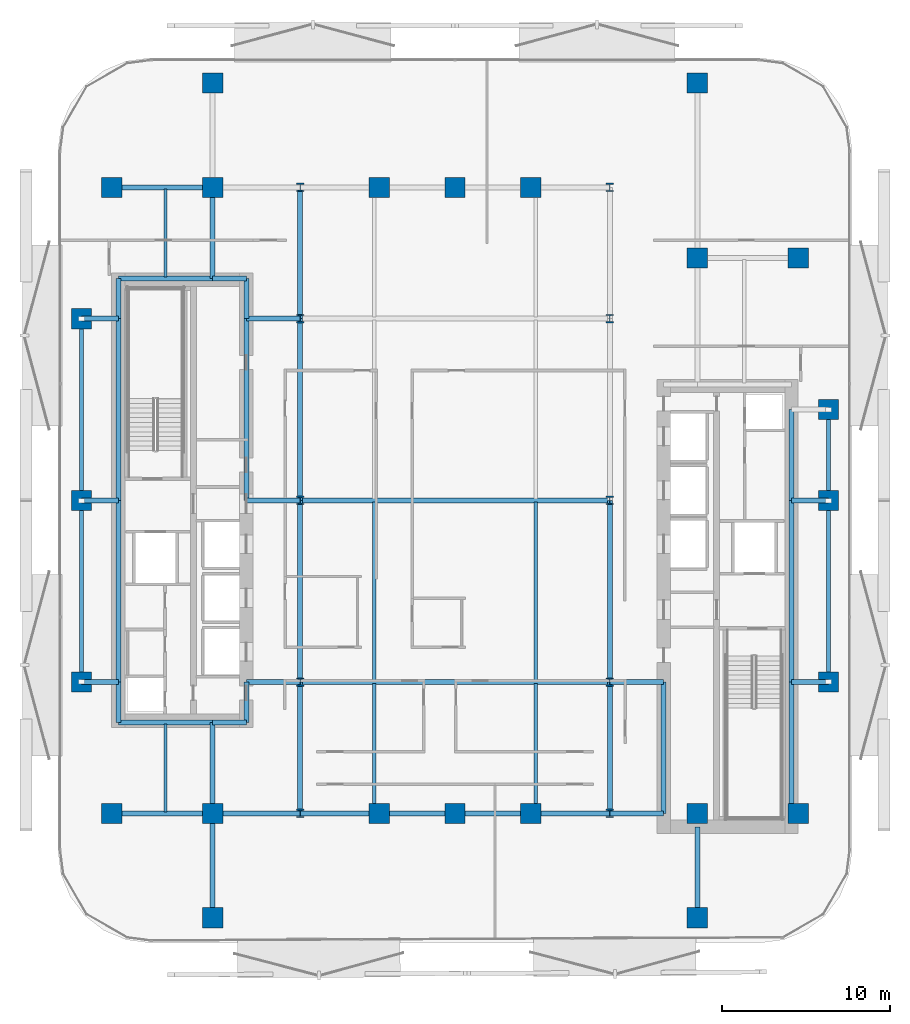
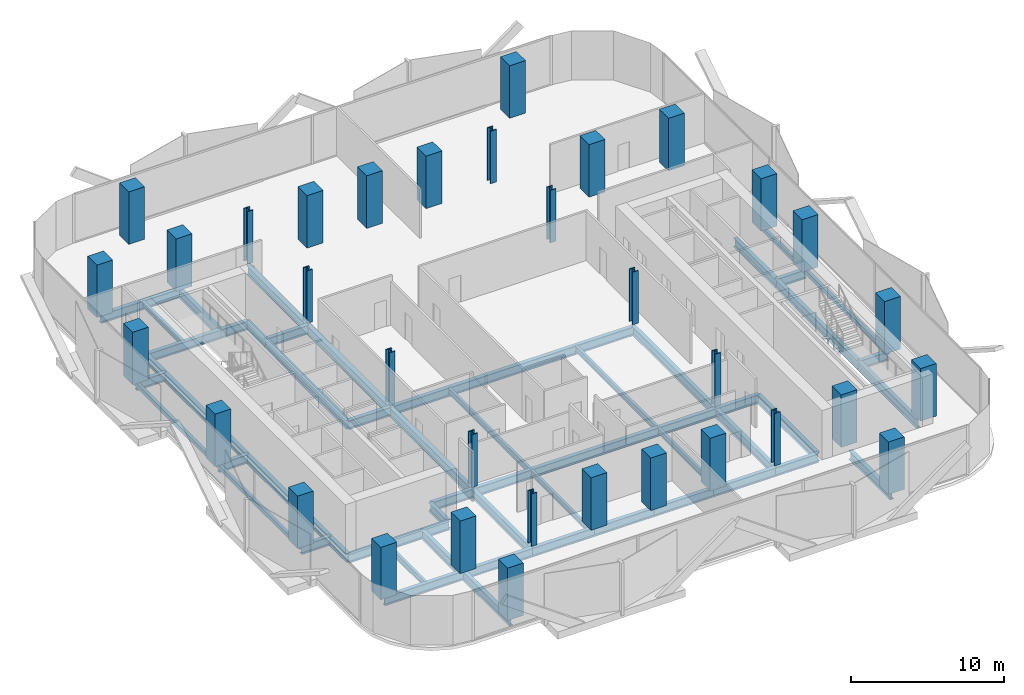
# One storey, part 1 of 15: 54 beams, 34 columns.
"""IFC4 building model written with IfcOpenShell, lengths in metres."""

from ifc_helpers import new_model, si_unit, direction, frame, origin, origin_2d, place, context, subcontext, project, spatial, rectangle, hollow_rectangle, i_section, extrude, material, material_profile, profile_set, type_object, element, save


model = new_model("IFC4")

# Units and contexts
model_context = context("Model", 3, precision=1e-05, world=origin(), true_north=direction((0.0, 1.0)))
body_context = subcontext(model_context, "Body", "Model", "MODEL_VIEW")
ifc_project = project(units=[si_unit("LENGTHUNIT", "METRE"), si_unit("AREAUNIT", "SQUARE_METRE"), si_unit("VOLUMEUNIT", "CUBIC_METRE"), si_unit("PLANEANGLEUNIT", "RADIAN"), si_unit("MASSUNIT", "GRAM", prefix="KILO")], contexts=[model_context])

# Site, building, storey
site_placement = place(None, origin())
site = spatial("IfcSite", under=ifc_project, at=site_placement, CompositionType="ELEMENT")
building_placement = place(site_placement, origin())
building = spatial("IfcBuilding", under=site, at=building_placement, Name="Khairoan Windgate Tower", CompositionType="ELEMENT")
storey_placement = place(building_placement, frame((0.0, 0.0, 101.60009765625)))
storey = spatial("IfcBuildingStorey", under=building, at=storey_placement, Name="L23", CompositionType="ELEMENT", Elevation=101.60009765625)

# Columns
ifc_material_1 = material(Name="Concrete C60/75", Category="concrete")
ifc_material_profile_1 = material_profile(ifc_material_1, rectangle(XDim=1.199951171875, YDim=1.199951171875, at=origin_2d()))
ifc_profile_set_1 = profile_set([ifc_material_profile_1], Name="Concrete C60/75")
column_type_1 = type_object("IfcColumnType", Name="Column C-T3 RC1200x1200", PredefinedType="COLUMN", material=ifc_profile_set_1)
for number, where, z_axis, x_axis, name in (
    (1, (-20.39990234375, -18.60009765625, 0.0), (0.0, 0.0, 1.0), (1.0, 0.0, 0.0), "Column L23-11"),
    (2, (-20.39990234375, 18.60009765625, 0.0), (0.0, 0.0, 1.0), (1.0, 0.0, 0.0), "Column L23-12"),
    (3, (20.39990234375, -18.60009765625, 0.0), (0.0, 0.0, 1.0), (1.0, 0.0, 0.0), "Column L23-13"),
    (4, (20.39990234375, 14.39990234375, 0.0), (0.0, 0.0, 1.0), (1.0, 0.0, 0.0), "Column L23-14"),
    (5, (-14.39990234375, -18.60009765625, 0.0), (0.0, 0.0, 1.0), (1.0, 0.0, 0.0), "Column L23-15"),
    (6, (-14.39990234375, 18.60009765625, 0.0), (0.0, 0.0, 1.0), (1.0, 0.0, 0.0), "Column L23-16"),
    (7, (14.39990234375, -18.60009765625, 0.0), (0.0, 0.0, 1.0), (1.0, 0.0, 0.0), "Column L23-17"),
    (8, (14.39990234375, 14.39990234375, 0.0), (0.0, 0.0, 1.0), (1.0, 0.0, 0.0), "Column L23-18"),
    (9, (-4.5, -18.60009765625, 0.0), (0.0, 0.0, 1.0), (1.0, 0.0, 0.0), "Column L23-19"),
    (10, (0.0, -18.60009765625, 0.0), (0.0, 0.0, 1.0), (1.0, 0.0, 0.0), "Column L23-20"),
    (11, (4.5, -18.60009765625, 0.0), (0.0, 0.0, 1.0), (1.0, 0.0, 0.0), "Column L23-21"),
    (12, (-4.5, 18.60009765625, 0.0), (0.0, 0.0, 1.0), (1.0, 0.0, 0.0), "Column L23-22"),
    (13, (0.0, 18.60009765625, 0.0), (0.0, 0.0, 1.0), (1.0, 0.0, 0.0), "Column L23-23"),
    (14, (4.5, 18.60009765625, 0.0), (0.0, 0.0, 1.0), (1.0, 0.0, 0.0), "Column L23-24"),
    (15, (-22.199951171875, -10.800048828125, 0.0), (0.0, 0.0, 1.0), (1.0, 0.0, 0.0), "Column L23-25"),
    (16, (-22.199951171875, 0.0, 0.0), (0.0, 0.0, 1.0), (1.0, 0.0, 0.0), "Column L23-26"),
    (17, (-22.199951171875, 10.800048828125, 0.0), (0.0, 0.0, 1.0), (1.0, 0.0, 0.0), "Column L23-27"),
    (18, (22.199951171875, -10.800048828125, 0.0), (0.0, 0.0, 1.0), (1.0, 0.0, 0.0), "Column L23-28"),
    (19, (22.199951171875, 0.0, 0.0), (0.0, 0.0, 1.0), (1.0, 0.0, 0.0), "Column L23-29"),
    (20, (22.199951171875, 5.39990234375, 0.0), (0.0, 0.0, 1.0), (1.0, 0.0, 0.0), "Column L23-30"),
    (21, (-14.39990234375, -24.800048828125, 0.0), (0.0, 0.0, 1.0), (1.0, 0.0, 0.0), "Column L23-31"),
    (22, (-14.39990234375, 24.800048828125, 0.0), (0.0, 0.0, 1.0), (1.0, 0.0, 0.0), "Column L23-32"),
    (23, (14.39990234375, -24.800048828125, 0.0), (0.0, 0.0, 1.0), (1.0, 0.0, 0.0), "Column L23-33"),
    (24, (14.39990234375, 24.800048828125, 0.0), (0.0, 0.0, 1.0), (1.0, 0.0, 0.0), "Column L23-34"),
):
    element("IfcColumn", number, at=place(storey_placement, frame(where, z_axis=z_axis, x_axis=x_axis)), inside=storey, type_object=column_type_1, Name=name, PredefinedType="COLUMN", context=body_context, shape_type="SweptSolid", body=[
        extrude(rectangle(XDim=1.199951171875, YDim=1.199951171875, at=origin_2d()), origin(), (0.0, 0.0, 1.0), 4.199951171875),
    ])
ifc_material_2 = material(Name="Steel S355", Category="steel")
ifc_material_profile_2 = material_profile(ifc_material_2, i_section(OverallWidth=0.431884765625, OverallDepth=0.498046875, WebThickness=0.044921875, FlangeThickness=0.070068359375, FilletRadius=0.02197265625, at=origin_2d()))
ifc_profile_set_2 = profile_set([ifc_material_profile_2], Name="Steel S355")
column_type_2 = type_object("IfcColumnType", Name="Steel Column SC1 H498x432x45x70", PredefinedType="COLUMN", material=ifc_profile_set_2)
for number, where, z_axis, x_axis, name in (
    (25, (-9.199951171875, -18.60009765625, 0.0), (0.0, 0.0, 1.0), (1.0, 0.0, 0.0), "Column L23-01"),
    (26, (-9.199951171875, -10.800048828125, 0.0), (0.0, 0.0, 1.0), (1.0, 0.0, 0.0), "Column L23-02"),
    (27, (-9.199951171875, 0.0, 0.0), (0.0, 0.0, 1.0), (1.0, 0.0, 0.0), "Column L23-03"),
    (28, (-9.199951171875, 10.800048828125, 0.0), (0.0, 0.0, 1.0), (1.0, 0.0, 0.0), "Column L23-04"),
    (29, (-9.199951171875, 18.60009765625, 0.0), (0.0, 0.0, 1.0), (1.0, 0.0, 0.0), "Column L23-05"),
    (30, (9.199951171875, -18.60009765625, 0.0), (0.0, 0.0, 1.0), (1.0, 0.0, 0.0), "Column L23-06"),
    (31, (9.199951171875, -10.800048828125, 0.0), (0.0, 0.0, 1.0), (1.0, 0.0, 0.0), "Column L23-07"),
    (32, (9.199951171875, 0.0, 0.0), (0.0, 0.0, 1.0), (1.0, 0.0, 0.0), "Column L23-08"),
    (33, (9.199951171875, 10.800048828125, 0.0), (0.0, 0.0, 1.0), (1.0, 0.0, 0.0), "Column L23-09"),
    (34, (9.199951171875, 18.60009765625, 0.0), (0.0, 0.0, 1.0), (1.0, 0.0, 0.0), "Column L23-10"),
):
    element("IfcColumn", number, at=place(storey_placement, frame(where, z_axis=z_axis, x_axis=x_axis)), inside=storey, type_object=column_type_2, Name=name, PredefinedType="COLUMN", context=body_context, shape_type="SweptSolid", body=[
        extrude(i_section(OverallWidth=0.431884765625, OverallDepth=0.498046875, WebThickness=0.044921875, FlangeThickness=0.070068359375, FilletRadius=0.02197265625, at=origin_2d()), origin(), (0.0, 0.0, 1.0), 4.199951171875),
    ])

# Beams
ifc_material_3 = material(Name="Steel S355", Category="steel")
ifc_material_profile_3 = material_profile(ifc_material_3, i_section(OverallWidth=0.300048828125, OverallDepth=0.699951171875, WebThickness=0.012939453125, FlangeThickness=0.02392578125, FilletRadius=0.02587890625, at=origin_2d()))
ifc_profile_set_3 = profile_set([ifc_material_profile_3], Name="Steel S355")
beam_type_1 = type_object("IfcBeamType", Name="Beam B-G3 H700x300x13x24", PredefinedType="BEAM", material=ifc_profile_set_3)
beam_1_placement = place(storey_placement, frame((-20.39990234375, -18.60009765625, -0.610107421875), z_axis=(1.0, 0.0, 0.0), x_axis=(0.0, 1.0, 0.0)))
element("IfcBeam", 35, at=beam_1_placement, inside=storey, type_object=beam_type_1, Name="L23 E-W Primary Girder 01", PredefinedType="BEAM", context=body_context, shape_type="SweptSolid", body=[
    extrude(i_section(OverallWidth=0.300048828125, OverallDepth=0.699951171875, WebThickness=0.012939453125, FlangeThickness=0.02392578125, FilletRadius=0.02587890625, at=origin_2d()), origin(), (0.0, 0.0, 1.0), 6.0),
])
beam_2_placement = place(storey_placement, frame((-14.39990234375, -18.60009765625, -0.610107421875), z_axis=(1.0, 0.0, 0.0), x_axis=(0.0, 1.0, 0.0)))
element("IfcBeam", 36, at=beam_2_placement, inside=storey, type_object=beam_type_1, Name="L23 E-W Primary Girder 02", PredefinedType="BEAM", context=body_context, shape_type="SweptSolid", body=[
    extrude(i_section(OverallWidth=0.300048828125, OverallDepth=0.699951171875, WebThickness=0.012939453125, FlangeThickness=0.02392578125, FilletRadius=0.02587890625, at=origin_2d()), origin(), (0.0, 0.0, 1.0), 5.199951171875),
])
beam_3_placement = place(storey_placement, frame((-9.199951171875, -18.60009765625, -0.610107421875), z_axis=(1.0, 0.0, 0.0), x_axis=(0.0, 1.0, 0.0)))
element("IfcBeam", 37, at=beam_3_placement, inside=storey, type_object=beam_type_1, Name="L23 E-W Primary Girder 03", PredefinedType="BEAM", context=body_context, shape_type="SweptSolid", body=[
    extrude(i_section(OverallWidth=0.300048828125, OverallDepth=0.699951171875, WebThickness=0.012939453125, FlangeThickness=0.02392578125, FilletRadius=0.02587890625, at=origin_2d()), origin(), (0.0, 0.0, 1.0), 4.699951171875),
])
for number, where, z_axis, x_axis, name in (
    (38, (-4.5, -18.60009765625, -0.610107421875), (1.0, 0.0, 0.0), (0.0, 1.0, 0.0), "L23 E-W Primary Girder 04"),
    (39, (0.0, -18.60009765625, -0.610107421875), (1.0, 0.0, 0.0), (0.0, 1.0, 0.0), "L23 E-W Primary Girder 05"),
):
    element("IfcBeam", number, at=place(storey_placement, frame(where, z_axis=z_axis, x_axis=x_axis)), inside=storey, type_object=beam_type_1, Name=name, PredefinedType="BEAM", context=body_context, shape_type="SweptSolid", body=[
        extrude(i_section(OverallWidth=0.300048828125, OverallDepth=0.699951171875, WebThickness=0.012939453125, FlangeThickness=0.02392578125, FilletRadius=0.02587890625, at=origin_2d()), origin(), (0.0, 0.0, 1.0), 4.5),
    ])
beam_4_placement = place(storey_placement, frame((4.5, -18.60009765625, -0.610107421875), z_axis=(1.0, 0.0, 0.0), x_axis=(0.0, 1.0, 0.0)))
element("IfcBeam", 40, at=beam_4_placement, inside=storey, type_object=beam_type_1, Name="L23 E-W Primary Girder 06", PredefinedType="BEAM", context=body_context, shape_type="SweptSolid", body=[
    extrude(i_section(OverallWidth=0.300048828125, OverallDepth=0.699951171875, WebThickness=0.012939453125, FlangeThickness=0.02392578125, FilletRadius=0.02587890625, at=origin_2d()), origin(), (0.0, 0.0, 1.0), 4.699951171875),
])
beam_5_placement = place(storey_placement, frame((9.199951171875, -18.60009765625, -0.610107421875), z_axis=(1.0, 0.0, 0.0), x_axis=(0.0, 1.0, 0.0)))
element("IfcBeam", 41, at=beam_5_placement, inside=storey, type_object=beam_type_1, Name="L23 E-W Primary Girder 07", PredefinedType="BEAM", context=body_context, shape_type="SweptSolid", body=[
    extrude(i_section(OverallWidth=0.300048828125, OverallDepth=0.699951171875, WebThickness=0.012939453125, FlangeThickness=0.02392578125, FilletRadius=0.02587890625, at=origin_2d()), origin(), (0.0, 0.0, 1.0), 3.199951171875),
])
beam_6_placement = place(storey_placement, frame((-20.0, -13.199951171875, -0.610107421875), z_axis=(1.0, 0.0, 0.0), x_axis=(0.0, 1.0, 0.0)))
element("IfcBeam", 42, at=beam_6_placement, inside=storey, type_object=beam_type_1, Name="L23 E-W Primary Girder 08", PredefinedType="BEAM", context=body_context, shape_type="SweptSolid", body=[
    extrude(i_section(OverallWidth=0.300048828125, OverallDepth=0.699951171875, WebThickness=0.012939453125, FlangeThickness=0.02392578125, FilletRadius=0.02587890625, at=origin_2d()), origin(), (0.0, 0.0, 1.0), 5.60009765625),
])
beam_7_placement = place(storey_placement, frame((-14.39990234375, -13.199951171875, -0.610107421875), z_axis=(1.0, 0.0, 0.0), x_axis=(0.0, 1.0, 0.0)))
element("IfcBeam", 43, at=beam_7_placement, inside=storey, type_object=beam_type_1, Name="L23 E-W Primary Girder 09", PredefinedType="BEAM", context=body_context, shape_type="SweptSolid", body=[
    extrude(i_section(OverallWidth=0.300048828125, OverallDepth=0.699951171875, WebThickness=0.012939453125, FlangeThickness=0.02392578125, FilletRadius=0.02587890625, at=origin_2d()), origin(), (0.0, 0.0, 1.0), 2.0),
])
beam_8_placement = place(storey_placement, frame((-22.199951171875, -10.800048828125, -0.610107421875), z_axis=(1.0, 0.0, 0.0), x_axis=(0.0, 1.0, 0.0)))
element("IfcBeam", 44, at=beam_8_placement, inside=storey, type_object=beam_type_1, Name="L23 E-W Primary Girder 10", PredefinedType="BEAM", context=body_context, shape_type="SweptSolid", body=[
    extrude(i_section(OverallWidth=0.300048828125, OverallDepth=0.699951171875, WebThickness=0.012939453125, FlangeThickness=0.02392578125, FilletRadius=0.02587890625, at=origin_2d()), origin(), (0.0, 0.0, 1.0), 2.199951171875),
])
beam_9_placement = place(storey_placement, frame((-12.39990234375, -10.800048828125, -0.610107421875), z_axis=(1.0, 0.0, 0.0), x_axis=(0.0, 1.0, 0.0)))
element("IfcBeam", 45, at=beam_9_placement, inside=storey, type_object=beam_type_1, Name="L23 E-W Primary Girder 11", PredefinedType="BEAM", context=body_context, shape_type="SweptSolid", body=[
    extrude(i_section(OverallWidth=0.300048828125, OverallDepth=0.699951171875, WebThickness=0.012939453125, FlangeThickness=0.02392578125, FilletRadius=0.02587890625, at=origin_2d()), origin(), (0.0, 0.0, 1.0), 3.199951171875),
])
beam_10_placement = place(storey_placement, frame((-9.199951171875, -10.800048828125, -0.610107421875), z_axis=(1.0, 0.0, 0.0), x_axis=(0.0, 1.0, 0.0)))
element("IfcBeam", 46, at=beam_10_placement, inside=storey, type_object=beam_type_1, Name="L23 E-W Primary Girder 12", PredefinedType="BEAM", context=body_context, shape_type="SweptSolid", body=[
    extrude(i_section(OverallWidth=0.300048828125, OverallDepth=0.699951171875, WebThickness=0.012939453125, FlangeThickness=0.02392578125, FilletRadius=0.02587890625, at=origin_2d()), origin(), (0.0, 0.0, 1.0), 18.39990234375),
])
beam_11_placement = place(storey_placement, frame((9.199951171875, -10.800048828125, -0.610107421875), z_axis=(1.0, 0.0, 0.0), x_axis=(0.0, 1.0, 0.0)))
element("IfcBeam", 47, at=beam_11_placement, inside=storey, type_object=beam_type_1, Name="L23 E-W Primary Girder 13", PredefinedType="BEAM", context=body_context, shape_type="SweptSolid", body=[
    extrude(i_section(OverallWidth=0.300048828125, OverallDepth=0.699951171875, WebThickness=0.012939453125, FlangeThickness=0.02392578125, FilletRadius=0.02587890625, at=origin_2d()), origin(), (0.0, 0.0, 1.0), 3.199951171875),
])
for number, where, z_axis, x_axis, name in (
    (48, (20.0, -10.800048828125, -0.610107421875), (1.0, 0.0, 0.0), (0.0, 1.0, 0.0), "L23 E-W Primary Girder 14"),
    (49, (-22.199951171875, 0.0, -0.610107421875), (1.0, 0.0, 0.0), (0.0, 1.0, 0.0), "L23 E-W Primary Girder 15"),
):
    element("IfcBeam", number, at=place(storey_placement, frame(where, z_axis=z_axis, x_axis=x_axis)), inside=storey, type_object=beam_type_1, Name=name, PredefinedType="BEAM", context=body_context, shape_type="SweptSolid", body=[
        extrude(i_section(OverallWidth=0.300048828125, OverallDepth=0.699951171875, WebThickness=0.012939453125, FlangeThickness=0.02392578125, FilletRadius=0.02587890625, at=origin_2d()), origin(), (0.0, 0.0, 1.0), 2.199951171875),
    ])
beam_12_placement = place(storey_placement, frame((-12.39990234375, 0.0, -0.610107421875), z_axis=(1.0, 0.0, 0.0), x_axis=(0.0, 1.0, 0.0)))
element("IfcBeam", 50, at=beam_12_placement, inside=storey, type_object=beam_type_1, Name="L23 E-W Primary Girder 16", PredefinedType="BEAM", context=body_context, shape_type="SweptSolid", body=[
    extrude(i_section(OverallWidth=0.300048828125, OverallDepth=0.699951171875, WebThickness=0.012939453125, FlangeThickness=0.02392578125, FilletRadius=0.02587890625, at=origin_2d()), origin(), (0.0, 0.0, 1.0), 3.199951171875),
])
beam_13_placement = place(storey_placement, frame((-9.199951171875, 0.0, -0.610107421875), z_axis=(1.0, 0.0, 0.0), x_axis=(0.0, 1.0, 0.0)))
element("IfcBeam", 51, at=beam_13_placement, inside=storey, type_object=beam_type_1, Name="L23 E-W Primary Girder 17", PredefinedType="BEAM", context=body_context, shape_type="SweptSolid", body=[
    extrude(i_section(OverallWidth=0.300048828125, OverallDepth=0.699951171875, WebThickness=0.012939453125, FlangeThickness=0.02392578125, FilletRadius=0.02587890625, at=origin_2d()), origin(), (0.0, 0.0, 1.0), 18.39990234375),
])
for number, where, z_axis, x_axis, name in (
    (52, (20.0, 0.0, -0.610107421875), (1.0, 0.0, 0.0), (0.0, 1.0, 0.0), "L23 E-W Primary Girder 18"),
    (53, (-22.199951171875, 10.800048828125, -0.610107421875), (1.0, 0.0, 0.0), (0.0, 1.0, 0.0), "L23 E-W Primary Girder 22"),
):
    element("IfcBeam", number, at=place(storey_placement, frame(where, z_axis=z_axis, x_axis=x_axis)), inside=storey, type_object=beam_type_1, Name=name, PredefinedType="BEAM", context=body_context, shape_type="SweptSolid", body=[
        extrude(i_section(OverallWidth=0.300048828125, OverallDepth=0.699951171875, WebThickness=0.012939453125, FlangeThickness=0.02392578125, FilletRadius=0.02587890625, at=origin_2d()), origin(), (0.0, 0.0, 1.0), 2.199951171875),
    ])
beam_14_placement = place(storey_placement, frame((-12.39990234375, 10.800048828125, -0.610107421875), z_axis=(1.0, 0.0, 0.0), x_axis=(0.0, 1.0, 0.0)))
element("IfcBeam", 54, at=beam_14_placement, inside=storey, type_object=beam_type_1, Name="L23 E-W Primary Girder 23", PredefinedType="BEAM", context=body_context, shape_type="SweptSolid", body=[
    extrude(i_section(OverallWidth=0.300048828125, OverallDepth=0.699951171875, WebThickness=0.012939453125, FlangeThickness=0.02392578125, FilletRadius=0.02587890625, at=origin_2d()), origin(), (0.0, 0.0, 1.0), 3.199951171875),
])
beam_15_placement = place(storey_placement, frame((-20.0, 13.199951171875, -0.610107421875), z_axis=(1.0, 0.0, 0.0), x_axis=(0.0, 1.0, 0.0)))
element("IfcBeam", 55, at=beam_15_placement, inside=storey, type_object=beam_type_1, Name="L23 E-W Primary Girder 25", PredefinedType="BEAM", context=body_context, shape_type="SweptSolid", body=[
    extrude(i_section(OverallWidth=0.300048828125, OverallDepth=0.699951171875, WebThickness=0.012939453125, FlangeThickness=0.02392578125, FilletRadius=0.02587890625, at=origin_2d()), origin(), (0.0, 0.0, 1.0), 5.60009765625),
])
beam_16_placement = place(storey_placement, frame((-14.39990234375, 13.199951171875, -0.610107421875), z_axis=(1.0, 0.0, 0.0), x_axis=(0.0, 1.0, 0.0)))
element("IfcBeam", 56, at=beam_16_placement, inside=storey, type_object=beam_type_1, Name="L23 E-W Primary Girder 26", PredefinedType="BEAM", context=body_context, shape_type="SweptSolid", body=[
    extrude(i_section(OverallWidth=0.300048828125, OverallDepth=0.699951171875, WebThickness=0.012939453125, FlangeThickness=0.02392578125, FilletRadius=0.02587890625, at=origin_2d()), origin(), (0.0, 0.0, 1.0), 2.0),
])
beam_17_placement = place(storey_placement, frame((-20.39990234375, 18.60009765625, -0.610107421875), z_axis=(1.0, 0.0, 0.0), x_axis=(0.0, 1.0, 0.0)))
element("IfcBeam", 57, at=beam_17_placement, inside=storey, type_object=beam_type_1, Name="L23 E-W Primary Girder 28", PredefinedType="BEAM", context=body_context, shape_type="SweptSolid", body=[
    extrude(i_section(OverallWidth=0.300048828125, OverallDepth=0.699951171875, WebThickness=0.012939453125, FlangeThickness=0.02392578125, FilletRadius=0.02587890625, at=origin_2d()), origin(), (0.0, 0.0, 1.0), 6.0),
])
beam_18_placement = place(storey_placement, frame((-20.0, -13.199951171875, -0.610107421875), z_axis=(0.0, 1.0, 0.0), x_axis=(-1.0, 0.0, 0.0)))
element("IfcBeam", 58, at=beam_18_placement, inside=storey, type_object=beam_type_1, Name="L23 N-S Primary Beam 36", PredefinedType="BEAM", context=body_context, shape_type="SweptSolid", body=[
    extrude(i_section(OverallWidth=0.300048828125, OverallDepth=0.699951171875, WebThickness=0.012939453125, FlangeThickness=0.02392578125, FilletRadius=0.02587890625, at=origin_2d()), origin(), (0.0, 0.0, 1.0), 2.39990234375),
])
for number, where, z_axis, x_axis, name in (
    (59, (-20.0, -10.800048828125, -0.610107421875), (0.0, 1.0, 0.0), (-1.0, 0.0, 0.0), "L23 N-S Primary Beam 37"),
    (60, (-20.0, 0.0, -0.610107421875), (0.0, 1.0, 0.0), (-1.0, 0.0, 0.0), "L23 N-S Primary Beam 38"),
):
    element("IfcBeam", number, at=place(storey_placement, frame(where, z_axis=z_axis, x_axis=x_axis)), inside=storey, type_object=beam_type_1, Name=name, PredefinedType="BEAM", context=body_context, shape_type="SweptSolid", body=[
        extrude(i_section(OverallWidth=0.300048828125, OverallDepth=0.699951171875, WebThickness=0.012939453125, FlangeThickness=0.02392578125, FilletRadius=0.02587890625, at=origin_2d()), origin(), (0.0, 0.0, 1.0), 10.800048828125),
    ])
beam_19_placement = place(storey_placement, frame((-20.0, 10.800048828125, -0.610107421875), z_axis=(0.0, 1.0, 0.0), x_axis=(-1.0, 0.0, 0.0)))
element("IfcBeam", 61, at=beam_19_placement, inside=storey, type_object=beam_type_1, Name="L23 N-S Primary Beam 39", PredefinedType="BEAM", context=body_context, shape_type="SweptSolid", body=[
    extrude(i_section(OverallWidth=0.300048828125, OverallDepth=0.699951171875, WebThickness=0.012939453125, FlangeThickness=0.02392578125, FilletRadius=0.02587890625, at=origin_2d()), origin(), (0.0, 0.0, 1.0), 2.39990234375),
])
beam_20_placement = place(storey_placement, frame((-14.39990234375, -24.800048828125, -0.610107421875), z_axis=(0.0, 1.0, 0.0), x_axis=(-1.0, 0.0, 0.0)))
element("IfcBeam", 62, at=beam_20_placement, inside=storey, type_object=beam_type_1, Name="L23 N-S Primary Beam 40", PredefinedType="BEAM", context=body_context, shape_type="SweptSolid", body=[
    extrude(i_section(OverallWidth=0.300048828125, OverallDepth=0.699951171875, WebThickness=0.012939453125, FlangeThickness=0.02392578125, FilletRadius=0.02587890625, at=origin_2d()), origin(), (0.0, 0.0, 1.0), 6.199951171875),
])
for number, where, z_axis, x_axis, name in (
    (63, (-14.39990234375, -18.60009765625, -0.610107421875), (0.0, 1.0, 0.0), (-1.0, 0.0, 0.0), "L23 N-S Primary Beam 41"),
    (64, (-14.39990234375, 13.199951171875, -0.610107421875), (0.0, 1.0, 0.0), (-1.0, 0.0, 0.0), "L23 N-S Primary Beam 42"),
):
    element("IfcBeam", number, at=place(storey_placement, frame(where, z_axis=z_axis, x_axis=x_axis)), inside=storey, type_object=beam_type_1, Name=name, PredefinedType="BEAM", context=body_context, shape_type="SweptSolid", body=[
        extrude(i_section(OverallWidth=0.300048828125, OverallDepth=0.699951171875, WebThickness=0.012939453125, FlangeThickness=0.02392578125, FilletRadius=0.02587890625, at=origin_2d()), origin(), (0.0, 0.0, 1.0), 5.400146484375),
    ])
beam_21_placement = place(storey_placement, frame((-12.39990234375, -13.199951171875, -0.610107421875), z_axis=(0.0, 1.0, 0.0), x_axis=(-1.0, 0.0, 0.0)))
element("IfcBeam", 65, at=beam_21_placement, inside=storey, type_object=beam_type_1, Name="L23 N-S Primary Beam 44", PredefinedType="BEAM", context=body_context, shape_type="SweptSolid", body=[
    extrude(i_section(OverallWidth=0.300048828125, OverallDepth=0.699951171875, WebThickness=0.012939453125, FlangeThickness=0.02392578125, FilletRadius=0.02587890625, at=origin_2d()), origin(), (0.0, 0.0, 1.0), 2.39990234375),
])
beam_22_placement = place(storey_placement, frame((-12.39990234375, 0.0, -0.610107421875), z_axis=(0.0, 1.0, 0.0), x_axis=(-1.0, 0.0, 0.0)))
element("IfcBeam", 66, at=beam_22_placement, inside=storey, type_object=beam_type_1, Name="L23 N-S Primary Beam 45", PredefinedType="BEAM", context=body_context, shape_type="SweptSolid", body=[
    extrude(i_section(OverallWidth=0.300048828125, OverallDepth=0.699951171875, WebThickness=0.012939453125, FlangeThickness=0.02392578125, FilletRadius=0.02587890625, at=origin_2d()), origin(), (0.0, 0.0, 1.0), 10.800048828125),
])
beam_23_placement = place(storey_placement, frame((-12.39990234375, 10.800048828125, -0.610107421875), z_axis=(0.0, 1.0, 0.0), x_axis=(-1.0, 0.0, 0.0)))
element("IfcBeam", 67, at=beam_23_placement, inside=storey, type_object=beam_type_1, Name="L23 N-S Primary Beam 46", PredefinedType="BEAM", context=body_context, shape_type="SweptSolid", body=[
    extrude(i_section(OverallWidth=0.300048828125, OverallDepth=0.699951171875, WebThickness=0.012939453125, FlangeThickness=0.02392578125, FilletRadius=0.02587890625, at=origin_2d()), origin(), (0.0, 0.0, 1.0), 2.39990234375),
])
beam_24_placement = place(storey_placement, frame((-9.199951171875, -18.60009765625, -0.610107421875), z_axis=(0.0, 1.0, 0.0), x_axis=(-1.0, 0.0, 0.0)))
element("IfcBeam", 68, at=beam_24_placement, inside=storey, type_object=beam_type_1, Name="L23 N-S Primary Beam 47", PredefinedType="BEAM", context=body_context, shape_type="SweptSolid", body=[
    extrude(i_section(OverallWidth=0.300048828125, OverallDepth=0.699951171875, WebThickness=0.012939453125, FlangeThickness=0.02392578125, FilletRadius=0.02587890625, at=origin_2d()), origin(), (0.0, 0.0, 1.0), 7.800048828125),
])
for number, where, z_axis, x_axis, name in (
    (69, (-9.199951171875, -10.800048828125, -0.610107421875), (0.0, 1.0, 0.0), (-1.0, 0.0, 0.0), "L23 N-S Primary Beam 48"),
    (70, (-9.199951171875, 0.0, -0.610107421875), (0.0, 1.0, 0.0), (-1.0, 0.0, 0.0), "L23 N-S Primary Beam 49"),
):
    element("IfcBeam", number, at=place(storey_placement, frame(where, z_axis=z_axis, x_axis=x_axis)), inside=storey, type_object=beam_type_1, Name=name, PredefinedType="BEAM", context=body_context, shape_type="SweptSolid", body=[
        extrude(i_section(OverallWidth=0.300048828125, OverallDepth=0.699951171875, WebThickness=0.012939453125, FlangeThickness=0.02392578125, FilletRadius=0.02587890625, at=origin_2d()), origin(), (0.0, 0.0, 1.0), 10.800048828125),
    ])
for number, where, z_axis, x_axis, name in (
    (71, (-9.199951171875, 10.800048828125, -0.610107421875), (0.0, 1.0, 0.0), (-1.0, 0.0, 0.0), "L23 N-S Primary Beam 50"),
    (72, (9.199951171875, -18.60009765625, -0.610107421875), (0.0, 1.0, 0.0), (-1.0, 0.0, 0.0), "L23 N-S Primary Beam 51"),
):
    element("IfcBeam", number, at=place(storey_placement, frame(where, z_axis=z_axis, x_axis=x_axis)), inside=storey, type_object=beam_type_1, Name=name, PredefinedType="BEAM", context=body_context, shape_type="SweptSolid", body=[
        extrude(i_section(OverallWidth=0.300048828125, OverallDepth=0.699951171875, WebThickness=0.012939453125, FlangeThickness=0.02392578125, FilletRadius=0.02587890625, at=origin_2d()), origin(), (0.0, 0.0, 1.0), 7.800048828125),
    ])
beam_25_placement = place(storey_placement, frame((9.199951171875, -10.800048828125, -0.610107421875), z_axis=(0.0, 1.0, 0.0), x_axis=(-1.0, 0.0, 0.0)))
element("IfcBeam", 73, at=beam_25_placement, inside=storey, type_object=beam_type_1, Name="L23 N-S Primary Beam 52", PredefinedType="BEAM", context=body_context, shape_type="SweptSolid", body=[
    extrude(i_section(OverallWidth=0.300048828125, OverallDepth=0.699951171875, WebThickness=0.012939453125, FlangeThickness=0.02392578125, FilletRadius=0.02587890625, at=origin_2d()), origin(), (0.0, 0.0, 1.0), 10.800048828125),
])
beam_26_placement = place(storey_placement, frame((12.39990234375, -18.60009765625, -0.610107421875), z_axis=(0.0, 1.0, 0.0), x_axis=(-1.0, 0.0, 0.0)))
element("IfcBeam", 74, at=beam_26_placement, inside=storey, type_object=beam_type_1, Name="L23 N-S Primary Beam 55", PredefinedType="BEAM", context=body_context, shape_type="SweptSolid", body=[
    extrude(i_section(OverallWidth=0.300048828125, OverallDepth=0.699951171875, WebThickness=0.012939453125, FlangeThickness=0.02392578125, FilletRadius=0.02587890625, at=origin_2d()), origin(), (0.0, 0.0, 1.0), 7.800048828125),
])
beam_27_placement = place(storey_placement, frame((14.39990234375, -24.800048828125, -0.610107421875), z_axis=(0.0, 1.0, 0.0), x_axis=(-1.0, 0.0, 0.0)))
element("IfcBeam", 75, at=beam_27_placement, inside=storey, type_object=beam_type_1, Name="L23 N-S Primary Beam 56", PredefinedType="BEAM", context=body_context, shape_type="SweptSolid", body=[
    extrude(i_section(OverallWidth=0.300048828125, OverallDepth=0.699951171875, WebThickness=0.012939453125, FlangeThickness=0.02392578125, FilletRadius=0.02587890625, at=origin_2d()), origin(), (0.0, 0.0, 1.0), 5.400146484375),
])
beam_28_placement = place(storey_placement, frame((20.0, -18.60009765625, -0.610107421875), z_axis=(0.0, 1.0, 0.0), x_axis=(-1.0, 0.0, 0.0)))
element("IfcBeam", 76, at=beam_28_placement, inside=storey, type_object=beam_type_1, Name="L23 N-S Primary Beam 59", PredefinedType="BEAM", context=body_context, shape_type="SweptSolid", body=[
    extrude(i_section(OverallWidth=0.300048828125, OverallDepth=0.699951171875, WebThickness=0.012939453125, FlangeThickness=0.02392578125, FilletRadius=0.02587890625, at=origin_2d()), origin(), (0.0, 0.0, 1.0), 7.800048828125),
])
beam_29_placement = place(storey_placement, frame((20.0, -10.800048828125, -0.610107421875), z_axis=(0.0, 1.0, 0.0), x_axis=(-1.0, 0.0, 0.0)))
element("IfcBeam", 77, at=beam_29_placement, inside=storey, type_object=beam_type_1, Name="L23 N-S Primary Beam 60", PredefinedType="BEAM", context=body_context, shape_type="SweptSolid", body=[
    extrude(i_section(OverallWidth=0.300048828125, OverallDepth=0.699951171875, WebThickness=0.012939453125, FlangeThickness=0.02392578125, FilletRadius=0.02587890625, at=origin_2d()), origin(), (0.0, 0.0, 1.0), 10.800048828125),
])
beam_30_placement = place(storey_placement, frame((20.0, 0.0, -0.610107421875), z_axis=(0.0, 1.0, 0.0), x_axis=(-1.0, 0.0, 0.0)))
element("IfcBeam", 78, at=beam_30_placement, inside=storey, type_object=beam_type_1, Name="L23 N-S Primary Beam 61", PredefinedType="BEAM", context=body_context, shape_type="SweptSolid", body=[
    extrude(i_section(OverallWidth=0.300048828125, OverallDepth=0.699951171875, WebThickness=0.012939453125, FlangeThickness=0.02392578125, FilletRadius=0.02587890625, at=origin_2d()), origin(), (0.0, 0.0, 1.0), 5.39990234375),
])
ifc_material_4 = material(Name="Steel S355", Category="steel")
ifc_material_profile_4 = material_profile(ifc_material_4, i_section(OverallWidth=0.199951171875, OverallDepth=0.449951171875, WebThickness=0.009033203125, FlangeThickness=0.013916015625, FilletRadius=0.01806640625, at=origin_2d()))
ifc_profile_set_4 = profile_set([ifc_material_profile_4], Name="Steel S355")
beam_type_2 = type_object("IfcBeamType", Name="Beam J-S3 H450x200x9x14", PredefinedType="JOIST", material=ifc_profile_set_4)
for number, where, z_axis, x_axis, name in (
    (79, (-17.199951171875, -18.510009765625, -0.485107421875), (0.0, 1.0, 0.0), (-1.0, 0.0, 0.0), "L23 Secondary Floor Joist 01"),
    (80, (-17.199951171875, 13.2900390625, -0.485107421875), (0.0, 1.0, 0.0), (-1.0, 0.0, 0.0), "L23 Secondary Floor Joist 02"),
):
    element("IfcBeam", number, at=place(storey_placement, frame(where, z_axis=z_axis, x_axis=x_axis)), inside=storey, type_object=beam_type_2, Name=name, PredefinedType="JOIST", context=body_context, shape_type="SweptSolid", body=[
        extrude(i_section(OverallWidth=0.199951171875, OverallDepth=0.449951171875, WebThickness=0.009033203125, FlangeThickness=0.013916015625, FilletRadius=0.01806640625, at=origin_2d()), origin(), (0.0, 0.0, 1.0), 5.219970703125),
    ])
beam_31_placement = place(storey_placement, frame((-4.800048828125, -18.510009765625, -0.485107421875), z_axis=(0.0, 1.0, 0.0), x_axis=(-1.0, 0.0, 0.0)))
element("IfcBeam", 81, at=beam_31_placement, inside=storey, type_object=beam_type_2, Name="L23 Secondary Floor Joist 03", PredefinedType="JOIST", context=body_context, shape_type="SweptSolid", body=[
    extrude(i_section(OverallWidth=0.199951171875, OverallDepth=0.449951171875, WebThickness=0.009033203125, FlangeThickness=0.013916015625, FilletRadius=0.01806640625, at=origin_2d()), origin(), (0.0, 0.0, 1.0), 7.6201171875),
])
beam_32_placement = place(storey_placement, frame((-4.800048828125, -10.7099609375, -0.485107421875), z_axis=(0.0, 1.0, 0.0), x_axis=(-1.0, 0.0, 0.0)))
element("IfcBeam", 82, at=beam_32_placement, inside=storey, type_object=beam_type_2, Name="L23 Secondary Floor Joist 04", PredefinedType="JOIST", context=body_context, shape_type="SweptSolid", body=[
    extrude(i_section(OverallWidth=0.199951171875, OverallDepth=0.449951171875, WebThickness=0.009033203125, FlangeThickness=0.013916015625, FilletRadius=0.01806640625, at=origin_2d()), origin(), (0.0, 0.0, 1.0), 10.619873046875),
])
beam_33_placement = place(storey_placement, frame((4.800048828125, -18.510009765625, -0.485107421875), z_axis=(0.0, 1.0, 0.0), x_axis=(-1.0, 0.0, 0.0)))
element("IfcBeam", 83, at=beam_33_placement, inside=storey, type_object=beam_type_2, Name="L23 Secondary Floor Joist 07", PredefinedType="JOIST", context=body_context, shape_type="SweptSolid", body=[
    extrude(i_section(OverallWidth=0.199951171875, OverallDepth=0.449951171875, WebThickness=0.009033203125, FlangeThickness=0.013916015625, FilletRadius=0.01806640625, at=origin_2d()), origin(), (0.0, 0.0, 1.0), 7.6201171875),
])
beam_34_placement = place(storey_placement, frame((4.800048828125, -10.7099609375, -0.485107421875), z_axis=(0.0, 1.0, 0.0), x_axis=(-1.0, 0.0, 0.0)))
element("IfcBeam", 84, at=beam_34_placement, inside=storey, type_object=beam_type_2, Name="L23 Secondary Floor Joist 08", PredefinedType="JOIST", context=body_context, shape_type="SweptSolid", body=[
    extrude(i_section(OverallWidth=0.199951171875, OverallDepth=0.449951171875, WebThickness=0.009033203125, FlangeThickness=0.013916015625, FilletRadius=0.01806640625, at=origin_2d()), origin(), (0.0, 0.0, 1.0), 10.619873046875),
])
ifc_material_5 = material(Name="Steel S355", Category="steel")
ifc_material_profile_5 = material_profile(ifc_material_5, hollow_rectangle(XDim=0.25, YDim=0.35009765625, WallThickness=0.012451171875, InnerFilletRadius=0.012451171875, OuterFilletRadius=0.02490234375, at=origin_2d()))
ifc_profile_set_5 = profile_set([ifc_material_profile_5], Name="Steel S355")
beam_type_3 = type_object("IfcBeamType", Name="Beam SP-B2 RHS350x250x12.5", PredefinedType="SPANDREL", material=ifc_profile_set_5)
for number, where, z_axis, x_axis, name in (
    (85, (-22.199951171875, -10.800048828125, -0.43505859375), (0.0, 1.0, 0.0), (-1.0, 0.0, 0.0), "L23 Spandrel Beam 34"),
    (86, (-22.199951171875, 0.0, -0.43505859375), (0.0, 1.0, 0.0), (-1.0, 0.0, 0.0), "L23 Spandrel Beam 35"),
    (87, (22.199951171875, -10.800048828125, -0.43505859375), (0.0, 1.0, 0.0), (-1.0, 0.0, 0.0), "L23 Spandrel Beam 62"),
):
    element("IfcBeam", number, at=place(storey_placement, frame(where, z_axis=z_axis, x_axis=x_axis)), inside=storey, type_object=beam_type_3, Name=name, PredefinedType="SPANDREL", context=body_context, shape_type="SweptSolid", body=[
        extrude(hollow_rectangle(XDim=0.25, YDim=0.35009765625, WallThickness=0.012451171875, InnerFilletRadius=0.012451171875, OuterFilletRadius=0.02490234375, at=origin_2d()), origin(), (0.0, 0.0, 1.0), 10.800048828125),
    ])
beam_35_placement = place(storey_placement, frame((22.199951171875, 0.0, -0.43505859375), z_axis=(0.0, 1.0, 0.0), x_axis=(-1.0, 0.0, 0.0)))
element("IfcBeam", 88, at=beam_35_placement, inside=storey, type_object=beam_type_3, Name="L23 Spandrel Beam 63", PredefinedType="SPANDREL", context=body_context, shape_type="SweptSolid", body=[
    extrude(hollow_rectangle(XDim=0.25, YDim=0.35009765625, WallThickness=0.012451171875, InnerFilletRadius=0.012451171875, OuterFilletRadius=0.02490234375, at=origin_2d()), origin(), (0.0, 0.0, 1.0), 5.39990234375),
])

save(model, "model.ifc")
